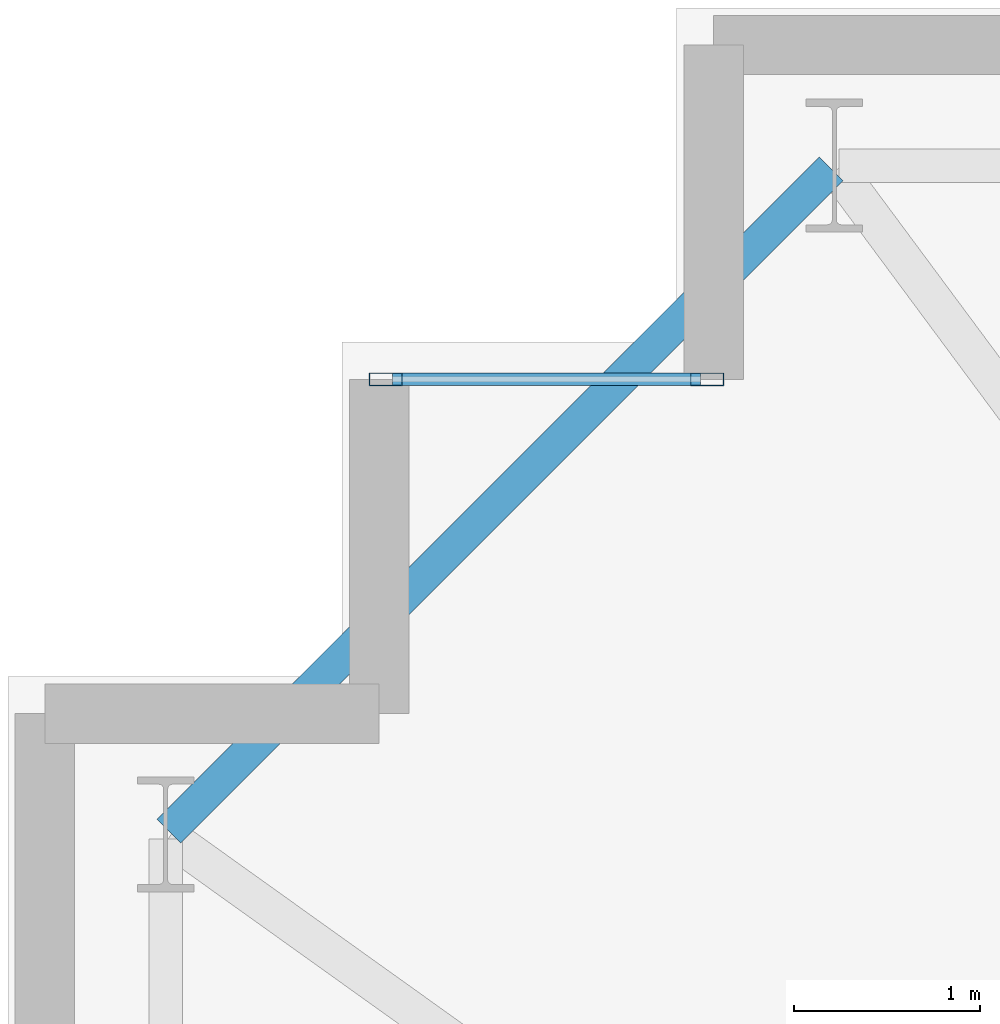
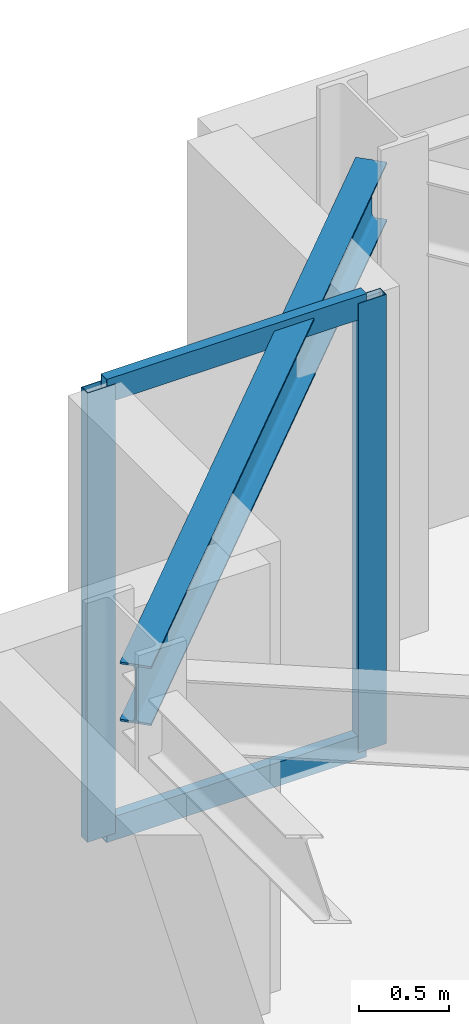
# One storey, part 8 of 21: 4 members, 1 beam, 1 element without a shape of its own.
"""IFC4 building model written with IfcOpenShell, lengths in metres."""

from ifc_helpers import new_model, si_unit, direction, frame, origin, origin_2d, place, context, subcontext, project, spatial, hollow_rectangle, i_section, extrude, material, layer, layer_set, material_profile, profile_set, type_object, element, aggregate, save


model = new_model("IFC4")

# Units and contexts
model_context = context("Model", 3, precision=1e-05, world=origin(), true_north=direction((0.0, 1.0)))
body_context = subcontext(model_context, "Body", "Model", "MODEL_VIEW")
ifc_project = project(units=[si_unit("LENGTHUNIT", "METRE"), si_unit("AREAUNIT", "SQUARE_METRE"), si_unit("VOLUMEUNIT", "CUBIC_METRE"), si_unit("PLANEANGLEUNIT", "RADIAN"), si_unit("MASSUNIT", "GRAM", prefix="KILO")], contexts=[model_context])

# Site, building, storey
site_placement = place(None, origin())
site = spatial("IfcSite", under=ifc_project, at=site_placement, CompositionType="ELEMENT")
building_placement = place(site_placement, origin())
building = spatial("IfcBuilding", under=site, at=building_placement, Name="Qobustan Lattice House", CompositionType="ELEMENT")
storey_placement = place(building_placement, frame((0.0, 0.0, 37.050048828125)))
storey = spatial("IfcBuildingStorey", under=building, at=storey_placement, Name="L09", CompositionType="ELEMENT", Elevation=37.050048828125)

# Beam
ifc_material_1 = material(Name="Steel S355", Category="steel")
ifc_material_profile_1 = material_profile(ifc_material_1, i_section(OverallWidth=0.179931640625, OverallDepth=0.39990234375, WebThickness=0.008544921875, FlangeThickness=0.013427734375, FilletRadius=0.02099609375, at=origin_2d()), Name="IPE400")
ifc_profile_set_1 = profile_set([ifc_material_profile_1], Name="Steel S355")
beam_type = type_object("IfcBeamType", Name="BM-SPD-IPE400", PredefinedType="SPANDREL", material=ifc_profile_set_1)
beam_placement = place(storey_placement, frame((-28.567626953125, 18.732421875, 2.8349609375), z_axis=(-0.707106781187, -0.707106781187, 0.0), x_axis=(0.707106781187, -0.707106781187, 0.0)))
element("IfcBeam", 1, at=beam_placement, inside=storey, type_object=beam_type, Name="L09 perimeter spandrel N7-W1", PredefinedType="SPANDREL", context=body_context, shape_type="SweptSolid", body=[
    extrude(i_section(OverallWidth=0.179931640625, OverallDepth=0.39990234375, WebThickness=0.008544921875, FlangeThickness=0.013427734375, FilletRadius=0.02099609375, at=origin_2d()), origin(), (0.0, 0.0, 1.0), 5.041259765625),
])

# Curtain wall, members
ifc_material_2 = material(Name="Anodised aluminium and low-E glazing", Category="aluminium")
ifc_layer = layer(ifc_material_2, 0.219970703125)
ifc_layer_set = layer_set([ifc_layer], Name="Anodised aluminium and low-E glazing")
curtain_wall_type = type_object("IfcCurtainWallType", Name="CW-FAC-01", PredefinedType="USERDEFINED", material=ifc_layer_set)
curtain_wall_placement = place(storey_placement, origin())
curtain_wall = element("IfcCurtainWall", 2, at=curtain_wall_placement, inside=storey, type_object=curtain_wall_type, Name="L09 serrated corner faceted glazing 8", ObjectType="CURTAIN WALL", PredefinedType="USERDEFINED")
ifc_material_3 = material(Name="Anodised aluminium EN AW-6063 T6", Category="aluminium")
ifc_material_profile_2 = material_profile(ifc_material_3, hollow_rectangle(XDim=0.070068359375, YDim=0.179931640625, WallThickness=0.00439453125, at=origin_2d()), Name="CWM-180x70")
ifc_profile_set_2 = profile_set([ifc_material_profile_2], Name="Anodised aluminium EN AW-6063 T6")
member_type_1 = type_object("IfcMemberType", Name="CWM-STD-180", PredefinedType="MULLION", material=ifc_profile_set_2)
member_1_placement = place(storey_placement, frame((-30.965087890625, 17.60009765625, 0.0), z_axis=(0.0, 0.0, 1.0), x_axis=(0.0, 1.0, 0.0)))
member_1 = element("IfcMember", 3, at=member_1_placement, type_object=member_type_1, Name="CW-F1 mullion 1", PredefinedType="MULLION", context=body_context, shape_type="SweptSolid", body=[
    extrude(hollow_rectangle(XDim=0.070068359375, YDim=0.179931640625, WallThickness=0.00439453125, at=origin_2d()), origin(), (0.0, 0.0, 1.0), 3.034912109375),
])
member_2_placement = place(storey_placement, frame((-29.235107421875, 17.60009765625, 0.0), z_axis=(0.0, 0.0, 1.0), x_axis=(0.0, 1.0, 0.0)))
member_2 = element("IfcMember", 4, at=member_2_placement, type_object=member_type_1, Name="CW-F1 mullion 2", PredefinedType="MULLION", context=body_context, shape_type="SweptSolid", body=[
    extrude(hollow_rectangle(XDim=0.070068359375, YDim=0.179931640625, WallThickness=0.00439453125, at=origin_2d()), origin(), (0.0, 0.0, 1.0), 3.034912109375),
])
ifc_material_4 = material(Name="Anodised aluminium EN AW-6063 T6", Category="aluminium")
ifc_material_profile_3 = material_profile(ifc_material_4, hollow_rectangle(XDim=0.06494140625, YDim=0.159912109375, WallThickness=0.00390625, at=origin_2d()), Name="CWT-160x65")
ifc_profile_set_3 = profile_set([ifc_material_profile_3], Name="Anodised aluminium EN AW-6063 T6")
member_type_2 = type_object("IfcMemberType", Name="CWT-HOR-160", PredefinedType="USERDEFINED", material=ifc_profile_set_3)
member_3_placement = place(storey_placement, frame((-30.929931640625, 17.60009765625, 0.032470703125), z_axis=(1.0, 0.0, 0.0), x_axis=(0.0, 1.0, 0.0)))
member_3 = element("IfcMember", 5, at=member_3_placement, type_object=member_type_2, Name="CW-F1 transom 1.1", ObjectType="TRANSOM", PredefinedType="USERDEFINED", context=body_context, shape_type="SweptSolid", body=[
    extrude(hollow_rectangle(XDim=0.06494140625, YDim=0.159912109375, WallThickness=0.00390625, at=origin_2d()), origin(), (0.0, 0.0, 1.0), 1.659912109375),
])
member_4_placement = place(storey_placement, frame((-30.929931640625, 17.60009765625, 3.00244140625), z_axis=(1.0, 0.0, 0.0), x_axis=(0.0, 1.0, 0.0)))
member_4 = element("IfcMember", 6, at=member_4_placement, type_object=member_type_2, Name="CW-F1 transom 1.2", ObjectType="TRANSOM", PredefinedType="USERDEFINED", context=body_context, shape_type="SweptSolid", body=[
    extrude(hollow_rectangle(XDim=0.06494140625, YDim=0.159912109375, WallThickness=0.00390625, at=origin_2d()), origin(), (0.0, 0.0, 1.0), 1.659912109375),
])
aggregate(curtain_wall, [member_1, member_2, member_3, member_4])

save(model, "model.ifc")
